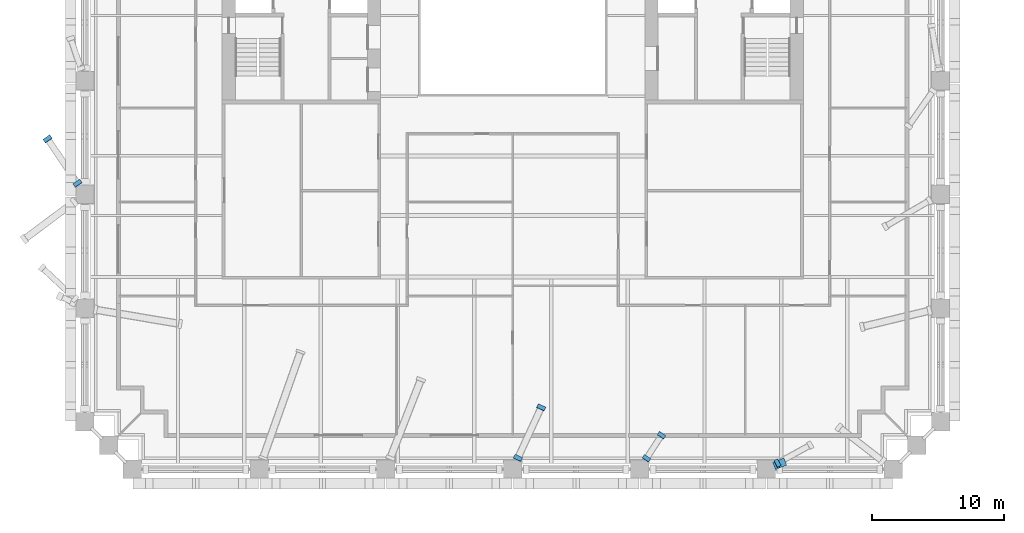
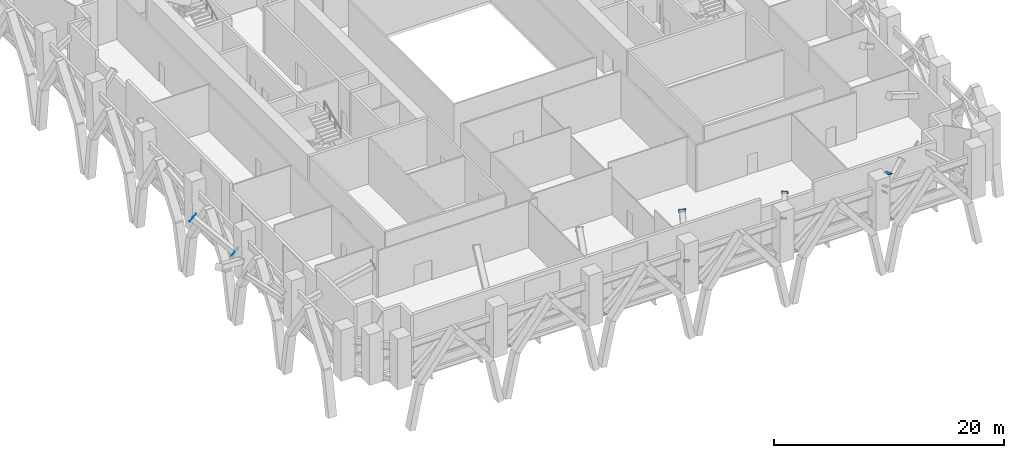
# One storey, part 11 of 19: 9 discrete accessories.
"""IFC4 building model written with IfcOpenShell, lengths in metres."""

from ifc_helpers import new_model, si_unit, direction, frame, origin, origin_2d, place, context, subcontext, project, spatial, rectangle, extrude, material, material_profile, profile_set, type_object, element, save


model = new_model("IFC4")

# Units and contexts
model_context = context("Model", 3, precision=1e-05, world=origin(), true_north=direction((0.0, 1.0)))
body_context = subcontext(model_context, "Body", "Model", "MODEL_VIEW")
ifc_project = project(units=[si_unit("LENGTHUNIT", "METRE"), si_unit("AREAUNIT", "SQUARE_METRE"), si_unit("VOLUMEUNIT", "CUBIC_METRE"), si_unit("PLANEANGLEUNIT", "RADIAN"), si_unit("MASSUNIT", "GRAM", prefix="KILO")], contexts=[model_context])

# Site, building, storey
site_placement = place(None, origin())
site = spatial("IfcSite", under=ifc_project, at=site_placement, CompositionType="ELEMENT")
building_placement = place(site_placement, origin())
building = spatial("IfcBuilding", under=site, at=building_placement, Name="Ogive Exchange Tower", CompositionType="ELEMENT")
storey_placement = place(building_placement, frame((0.0, 0.0, 94.199951171875)))
storey = spatial("IfcBuildingStorey", under=building, at=storey_placement, Name="L20", CompositionType="ELEMENT", Elevation=94.199951171875)

# Discrete accessories
ifc_material = material(Name="Steel ASTM A572 Gr50", Category="steel")
ifc_material_profile_1 = material_profile(ifc_material, rectangle(XDim=0.576904296875, YDim=0.576904296875, at=origin_2d()), Name="PL 577 x 577 x 25")
ifc_profile_set_1 = profile_set([ifc_material_profile_1], Name="Steel ASTM A572 Gr50")
discrete_accessory_type_1 = type_object("IfcDiscreteAccessoryType", Name="Gusset plate 577 x 577 x 25", PredefinedType="USERDEFINED", material=ifc_profile_set_1)
discrete_accessory_1_placement = place(storey_placement, frame((10.125, -29.5869140625, 3.44775390625), z_axis=(0.467342837645, 0.710750565586, 0.525760692351), x_axis=(-0.835555358886, 0.549406263377, 0.0)))
element("IfcDiscreteAccessory", 1, at=discrete_accessory_1_placement, inside=storey, type_object=discrete_accessory_type_1, Name="Block-change strut 6 end plate A", ObjectType="GUSSET PLATE", PredefinedType="USERDEFINED", context=body_context, shape_type="SweptSolid", body=[
    extrude(rectangle(XDim=0.576904296875, YDim=0.576904296875, at=origin_2d()), origin(), (0.0, 0.0, 1.0), 0.025146484375),
])
for number, where, z_axis, x_axis, name in (
    (2, (11.25830078125, -27.83251953125, 4.74267578125), (0.459681059943, 0.713972710124, 0.52814419653), (-0.84080404733, 0.541339592117, 0.0), "Block-change strut 6 end plate B"),
    (3, (20.044921875, -30.0546875, 3.68408203125), (0.264072098265, 0.107584928923, 0.958483912221), (-0.377296887314, 0.92609235977, 0.0), "Block-change strut 7 end plate A"),
):
    element("IfcDiscreteAccessory", number, at=place(storey_placement, frame(where, z_axis=z_axis, x_axis=x_axis)), inside=storey, type_object=discrete_accessory_type_1, Name=name, ObjectType="GUSSET PLATE", PredefinedType="USERDEFINED", context=body_context, shape_type="SweptSolid", body=[
        extrude(rectangle(XDim=0.576904296875, YDim=0.576904296875, at=origin_2d()), origin(), (0.0, 0.0, 1.0), 0.02490234375),
    ])
for number, where, z_axis, x_axis, name in (
    (4, (20.373291015625, -29.920654296875, 4.860107421875), (0.273134987647, 0.107303030861, 0.955972456764), (-0.365652372423, 0.93075149344, 0.0), "Block-change strut 7 end plate B"),
    (5, (20.033203125, -29.943115234375, 2.984130859375), (0.747572815534, 0.407766990291, 0.52427184466), (-0.478852130681, 0.877895572914, 0.0), "Block-change strut 31 end plate A"),
):
    element("IfcDiscreteAccessory", number, at=place(storey_placement, frame(where, z_axis=z_axis, x_axis=x_axis)), inside=storey, type_object=discrete_accessory_type_1, Name=name, ObjectType="GUSSET PLATE", PredefinedType="USERDEFINED", context=body_context, shape_type="SweptSolid", body=[
        extrude(rectangle(XDim=0.576904296875, YDim=0.576904296875, at=origin_2d()), origin(), (0.0, 0.0, 1.0), 0.025146484375),
    ])
ifc_material_profile_2 = material_profile(ifc_material, rectangle(XDim=0.6279296875, YDim=0.6279296875, at=origin_2d()), Name="PL 628 x 628 x 25")
ifc_profile_set_2 = profile_set([ifc_material_profile_2], Name="Steel ASTM A572 Gr50")
discrete_accessory_type_2 = type_object("IfcDiscreteAccessoryType", Name="Gusset plate 628 x 628 x 25", PredefinedType="USERDEFINED", material=ifc_profile_set_2)
discrete_accessory_2_placement = place(storey_placement, frame((0.388427734375, -29.556396484375, 2.3291015625), z_axis=(0.371817113019, 0.782772869514, 0.499017704315), x_axis=(-0.903277504354, 0.429056814568, 0.0)))
element("IfcDiscreteAccessory", 6, at=discrete_accessory_2_placement, inside=storey, type_object=discrete_accessory_type_2, Name="Block-change strut 5 end plate A", ObjectType="GUSSET PLATE", PredefinedType="USERDEFINED", context=body_context, shape_type="SweptSolid", body=[
    extrude(rectangle(XDim=0.6279296875, YDim=0.6279296875, at=origin_2d()), origin(), (0.0, 0.0, 1.0), 0.02490234375),
])
discrete_accessory_3_placement = place(storey_placement, frame((2.150390625, -25.731201171875, 4.716796875), z_axis=(0.359494489686, 0.796717517683, 0.485803364441), x_axis=(-0.911505056451, 0.411288866935, 0.0)))
element("IfcDiscreteAccessory", 7, at=discrete_accessory_3_placement, inside=storey, type_object=discrete_accessory_type_2, Name="Block-change strut 5 end plate B", ObjectType="GUSSET PLATE", PredefinedType="USERDEFINED", context=body_context, shape_type="SweptSolid", body=[
    extrude(rectangle(XDim=0.6279296875, YDim=0.6279296875, at=origin_2d()), origin(), (0.0, 0.0, 1.0), 0.025146484375),
])
for number, where, z_axis, x_axis, name in (
    (8, (-32.94384765625, -8.760009765625, 2.3310546875), (-0.479701044209, 0.714656657699, 0.509070495895), (-0.830296320178, -0.557322187517, 0.0), "Block-change strut 29 end plate A"),
    (9, (-35.21337890625, -5.3984375, 4.718505859375), (-0.479701044209, 0.714656657699, 0.509070495895), (-0.830296320178, -0.557322187517, 0.0), "Block-change strut 29 end plate B"),
):
    element("IfcDiscreteAccessory", number, at=place(storey_placement, frame(where, z_axis=z_axis, x_axis=x_axis)), inside=storey, type_object=discrete_accessory_type_2, Name=name, ObjectType="GUSSET PLATE", PredefinedType="USERDEFINED", context=body_context, shape_type="SweptSolid", body=[
        extrude(rectangle(XDim=0.6279296875, YDim=0.6279296875, at=origin_2d()), origin(), (0.0, 0.0, 1.0), 0.02490234375),
    ])

save(model, "model.ifc")
